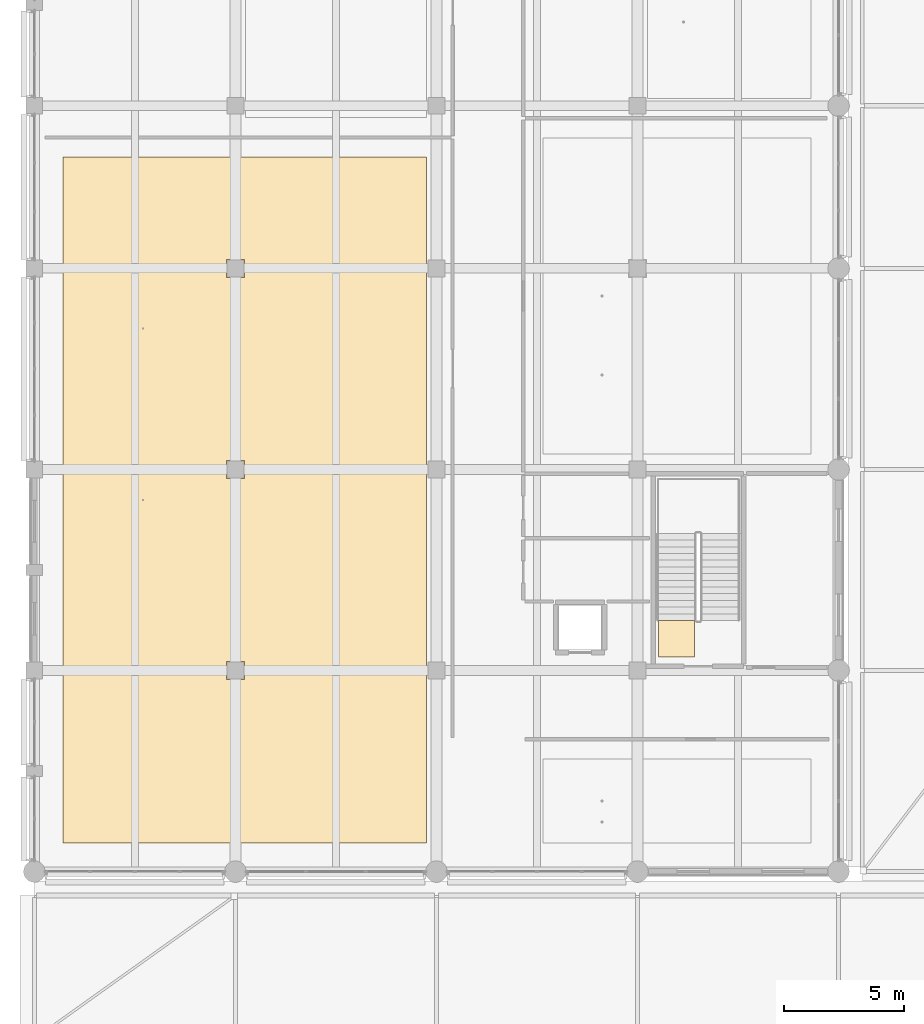
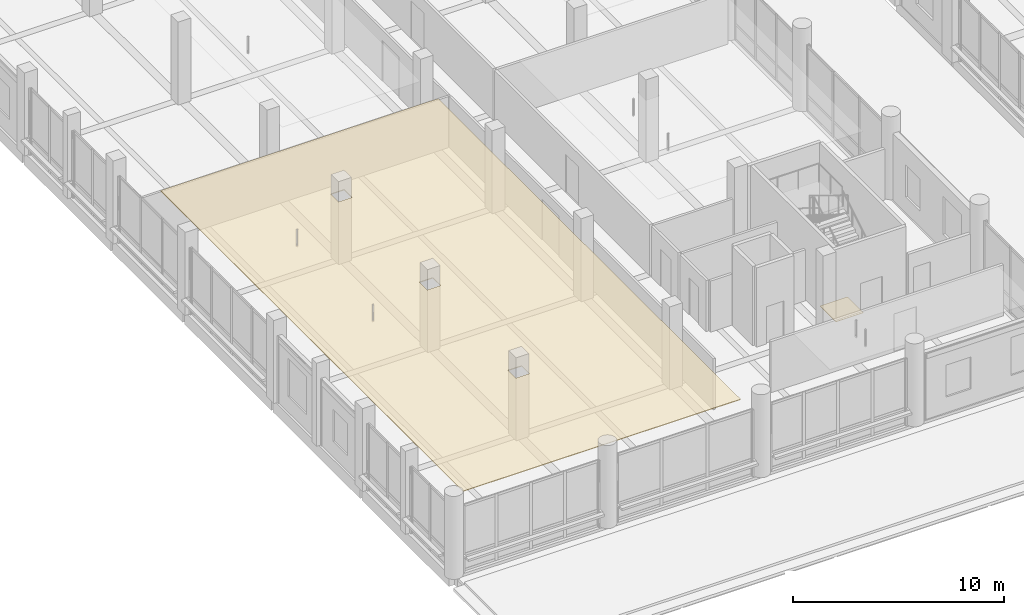
# One storey, part 88 of 128: 2 coverings.
"""IFC4 building model written with IfcOpenShell, lengths in metres."""

from ifc_helpers import new_model, si_unit, direction, frame, origin, place, context, subcontext, project, spatial, polyline, outline, extrude, material, layer, layer_set, type_object, element, save


model = new_model("IFC4")

# Units and contexts
model_context = context("Model", 3, precision=1e-05, world=origin(), true_north=direction((0.0, 1.0)))
body_context = subcontext(model_context, "Body", "Model", "MODEL_VIEW")
ifc_project = project(units=[si_unit("LENGTHUNIT", "METRE"), si_unit("AREAUNIT", "SQUARE_METRE"), si_unit("VOLUMEUNIT", "CUBIC_METRE"), si_unit("PLANEANGLEUNIT", "RADIAN"), si_unit("MASSUNIT", "GRAM", prefix="KILO")], contexts=[model_context])

# Site, building, storey
site_placement = place(None, origin())
site = spatial("IfcSite", under=ifc_project, at=site_placement, CompositionType="ELEMENT")
building_placement = place(site_placement, origin())
building = spatial("IfcBuilding", under=site, at=building_placement, Name="Telukmera Botanical Conservatory", CompositionType="ELEMENT")
storey_placement = place(building_placement, frame((0.0, 0.0, 5.39990234375)))
storey = spatial("IfcBuildingStorey", under=building, at=storey_placement, Name="L01", CompositionType="ELEMENT", Elevation=5.39990234375)

# Coverings
ifc_material_1 = material(Name="Perforated gypsum acoustic ceiling")
ifc_layer_1 = layer(ifc_material_1, 0.0400390625)
ifc_layer_set_1 = layer_set([ifc_layer_1], Name="Perforated gypsum acoustic ceiling")
covering_type_1 = type_object("IfcCoveringType", Name="COV-CEIL-40", PredefinedType="CEILING", material=ifc_layer_set_1)
covering_1_placement = place(storey_placement, frame((0.0, 0.0, 3.610107421875)))
element("IfcCovering", 1, at=covering_1_placement, inside=storey, type_object=covering_type_1, Name="L01 Visitor Centre Exhibition Gallery Suspended Acoustic Ceiling", PredefinedType="CEILING", context=body_context, shape_type="SweptSolid", body=[
    extrude(outline(polyline([(9.60009765625, 18.800048828125), (24.780029296875, 18.800048828125), (24.780029296875, 47.449951171875), (9.60009765625, 47.449951171875), (9.60009765625, 18.800048828125)]), holes=[polyline([(16.429931640625, 25.6298828125), (17.169921875, 25.6298828125), (17.169921875, 26.3701171875), (16.429931640625, 26.3701171875), (16.429931640625, 25.6298828125)]), polyline([(16.429931640625, 34.030029296875), (17.169921875, 34.030029296875), (17.169921875, 34.77001953125), (16.429931640625, 34.77001953125), (16.429931640625, 34.030029296875)]), polyline([(16.429931640625, 42.429931640625), (17.169921875, 42.429931640625), (17.169921875, 43.169921875), (16.429931640625, 43.169921875), (16.429931640625, 42.429931640625)])]), origin(), (0.0, 0.0, 1.0), 0.0400390625),
])
ifc_material_2 = material(Name="Honed granite non-slip flooring", Category="masonry")
ifc_layer_2 = layer(ifc_material_2, 0.011962890625)
ifc_layer_set_2 = layer_set([ifc_layer_2], Name="Honed granite non-slip flooring")
covering_type_2 = type_object("IfcCoveringType", Name="COV-FLR-12", PredefinedType="FLOORING", material=ifc_layer_set_2)
covering_2_placement = place(storey_placement, origin())
element("IfcCovering", 2, at=covering_2_placement, inside=storey, type_object=covering_type_2, Name="L01 ST3 Non-Slip Stair Landing Finish", PredefinedType="FLOORING", context=body_context, shape_type="SweptSolid", body=[
    extrude(outline(polyline([(35.97998046875, 26.570068359375), (35.97998046875, 28.0849609375), (34.47998046875, 28.0849609375), (34.47998046875, 26.570068359375), (35.97998046875, 26.570068359375)])), origin(), (0.0, 0.0, 1.0), 0.01220703125),
])

save(model, "model.ifc")
